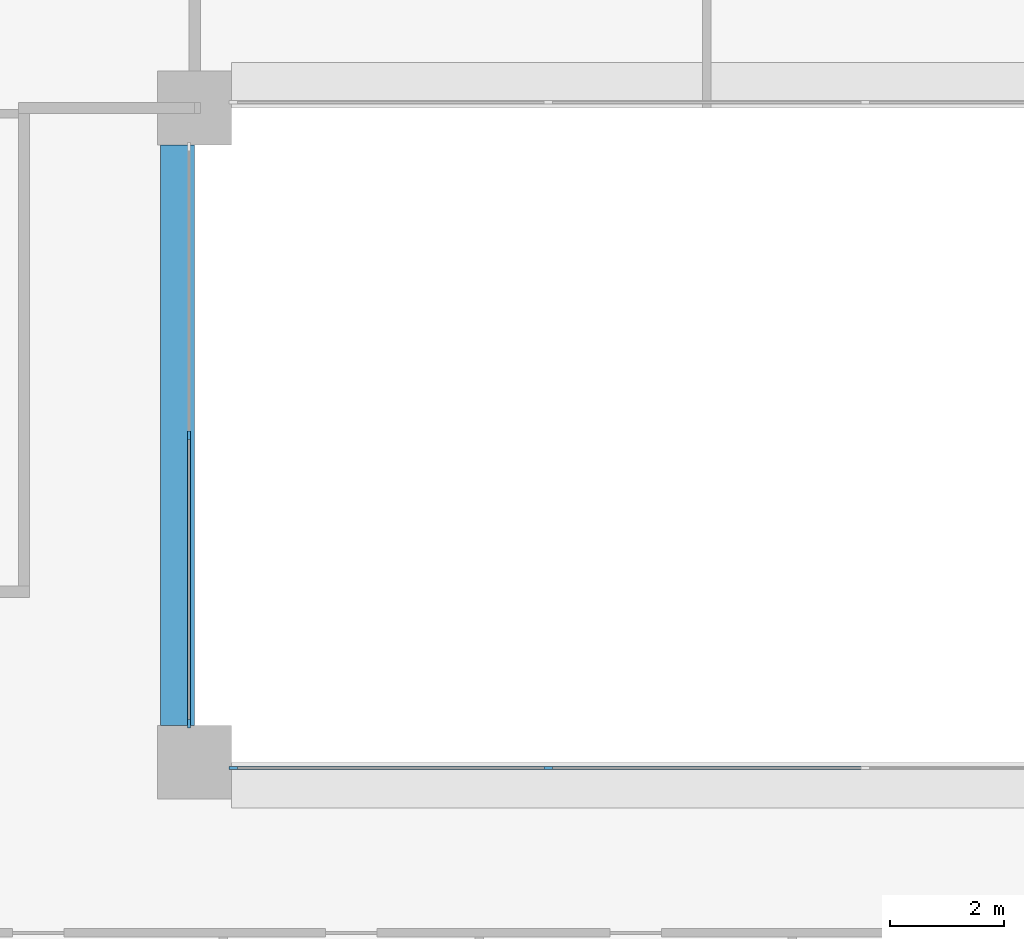
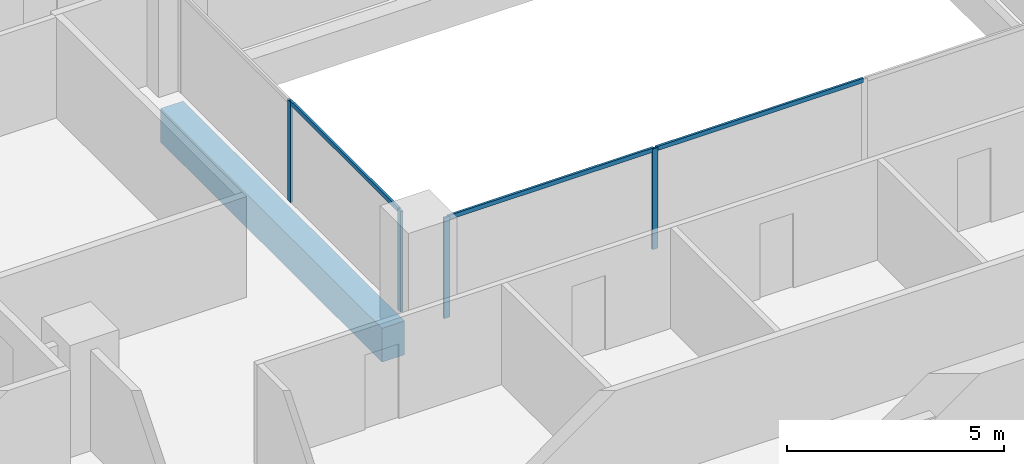
# One storey, part 2 of 16: 7 members, 1 beam, 2 elements without a shape of their own.
"""IFC4 building model written with IfcOpenShell, lengths in metres."""

from ifc_helpers import new_model, si_unit, direction, frame, origin, origin_2d, place, context, subcontext, project, spatial, rectangle, extrude, material, layer, layer_set, material_profile, profile_set, type_object, element, aggregate, save


model = new_model("IFC4")

# Units and contexts
model_context = context("Model", 3, precision=1e-05, world=origin(), true_north=direction((0.0, 1.0)))
body_context = subcontext(model_context, "Body", "Model", "MODEL_VIEW")
ifc_project = project(units=[si_unit("LENGTHUNIT", "METRE"), si_unit("AREAUNIT", "SQUARE_METRE"), si_unit("VOLUMEUNIT", "CUBIC_METRE"), si_unit("PLANEANGLEUNIT", "RADIAN"), si_unit("MASSUNIT", "GRAM", prefix="KILO")], contexts=[model_context])

# Site, building, storey
site_placement = place(None, origin())
site = spatial("IfcSite", under=ifc_project, at=site_placement, CompositionType="ELEMENT")
building_placement = place(site_placement, origin())
building = spatial("IfcBuilding", under=site, at=building_placement, Name="Brigalow Station Residences", CompositionType="ELEMENT")
storey_placement = place(building_placement, frame((0.0, 0.0, 86.699951171875)))
storey = spatial("IfcBuildingStorey", under=building, at=storey_placement, Name="L24", CompositionType="ELEMENT", Elevation=86.699951171875)

# Beam
ifc_material_1 = material(Name="Concrete C65", Category="concrete")
ifc_material_profile_1 = material_profile(ifc_material_1, rectangle(XDim=0.60009765625, YDim=0.949951171875, at=origin_2d()), Name="RC600x950")
ifc_profile_set_1 = profile_set([ifc_material_profile_1], Name="Concrete C65")
beam_type = type_object("IfcBeamType", Name="ATRIUM EDGE GIRDER 600x950 C65", PredefinedType="BEAM", material=ifc_profile_set_1)
beam_placement = place(storey_placement, frame((26.699951171875, 24.64990234375, -0.794921875), z_axis=(0.0, 1.0, 0.0), x_axis=(-1.0, 0.0, 0.0)))
element("IfcBeam", 1, at=beam_placement, inside=storey, type_object=beam_type, Name="ATRIUM EDGE GIRDER 3 L24", PredefinedType="BEAM", context=body_context, shape_type="SweptSolid", body=[
    extrude(rectangle(XDim=0.60009765625, YDim=0.949951171875, at=origin_2d()), origin(), (0.0, 0.0, 1.0), 10.2001953125),
])

# Curtain wall, members
ifc_material_2 = material(Name="Aluminium", Category="aluminium")
ifc_layer = layer(ifc_material_2, 0.14990234375)
ifc_layer_set = layer_set([ifc_layer], Name="ATRIUM FIRE-RATED GLAZING CURTAIN WALL")
curtain_wall_type = type_object("IfcCurtainWallType", Name="ATRIUM FIRE-RATED GLAZING CURTAIN WALL", PredefinedType="NOTDEFINED", material=ifc_layer_set)
curtain_wall_1_placement = place(storey_placement, origin())
curtain_wall_1 = element("IfcCurtainWall", 2, at=curtain_wall_1_placement, inside=storey, type_object=curtain_wall_type, Name="L24/cw/atrium-S", PredefinedType="NOTDEFINED")
ifc_material_3 = material(Name="Aluminium", Category="aluminium")
ifc_material_profile_2 = material_profile(ifc_material_3, rectangle(XDim=0.06005859375, YDim=0.14990234375, at=origin_2d()), Name="ATRIUM FIRE-RATED GLAZING MULLION 60x150")
ifc_profile_set_2 = profile_set([ifc_material_profile_2], Name="Aluminium")
member_type_1 = type_object("IfcMemberType", Name="ATRIUM FIRE-RATED GLAZING MULLION 60x150", PredefinedType="MULLION", material=ifc_profile_set_2)
member_1_placement = place(storey_placement, frame((27.679931640625, 23.89990234375, 0.0), z_axis=(0.0, 0.0, 1.0), x_axis=(0.0, 1.0, 0.0)))
member_1 = element("IfcMember", 3, at=member_1_placement, type_object=member_type_1, Name="L24/cw/atrium-S/M00", PredefinedType="MULLION", context=body_context, shape_type="SweptSolid", body=[
    extrude(rectangle(XDim=0.06005859375, YDim=0.14990234375, at=origin_2d()), origin(), (0.0, 0.0, 1.0), 2.830078125),
])
member_2_placement = place(storey_placement, frame((33.216796875, 23.89990234375, 0.0), z_axis=(0.0, 0.0, 1.0), x_axis=(0.0, 1.0, 0.0)))
member_2 = element("IfcMember", 4, at=member_2_placement, type_object=member_type_1, Name="L24/cw/atrium-S/M01", PredefinedType="MULLION", context=body_context, shape_type="SweptSolid", body=[
    extrude(rectangle(XDim=0.06005859375, YDim=0.14990234375, at=origin_2d()), origin(), (0.0, 0.0, 1.0), 2.830078125),
])

curtain_wall_2_placement = place(storey_placement, origin())
curtain_wall_2 = element("IfcCurtainWall", 5, at=curtain_wall_2_placement, inside=storey, type_object=curtain_wall_type, Name="L24/cw/atrium-W", PredefinedType="NOTDEFINED")
member_3_placement = place(storey_placement, frame((26.89990234375, 29.75, 0.0), z_axis=(0.0, 0.0, 1.0), x_axis=(1.0, 0.0, 0.0)))
member_3 = element("IfcMember", 6, at=member_3_placement, type_object=member_type_1, Name="L24/cw/atrium-W/M01", PredefinedType="MULLION", context=body_context, shape_type="SweptSolid", body=[
    extrude(rectangle(XDim=0.06005859375, YDim=0.14990234375, at=origin_2d()), origin(), (0.0, 0.0, 1.0), 2.830078125),
])
member_4_placement = place(storey_placement, frame((26.89990234375, 24.679931640625, 0.0), z_axis=(0.0, 0.0, 1.0), x_axis=(1.0, 0.0, 0.0)))
member_4 = element("IfcMember", 7, at=member_4_placement, type_object=member_type_1, Name="L24/cw/atrium-W/M02", PredefinedType="MULLION", context=body_context, shape_type="SweptSolid", body=[
    extrude(rectangle(XDim=0.06005859375, YDim=0.14990234375, at=origin_2d()), origin(), (0.0, 0.0, 1.0), 2.830078125),
])

# Member
ifc_material_4 = material(Name="Aluminium", Category="aluminium")
ifc_material_profile_3 = material_profile(ifc_material_4, rectangle(XDim=0.06005859375, YDim=0.1201171875, at=origin_2d()), Name="ATRIUM FIRE-RATED GLAZING TRANSOM 60x120")
ifc_profile_set_3 = profile_set([ifc_material_profile_3], Name="Aluminium")
member_type_2 = type_object("IfcMemberType", Name="ATRIUM FIRE-RATED GLAZING TRANSOM 60x120", PredefinedType="USERDEFINED", material=ifc_profile_set_3)
member_5_placement = place(storey_placement, frame((27.7099609375, 23.89990234375, 2.800048828125), z_axis=(1.0, 0.0, 0.0), x_axis=(0.0, 1.0, 0.0)))
member_5 = element("IfcMember", 8, at=member_5_placement, type_object=member_type_2, Name="L24/cw/atrium-S/T00-00", ObjectType="TRANSOM", PredefinedType="USERDEFINED", context=body_context, shape_type="SweptSolid", body=[
    extrude(rectangle(XDim=0.06005859375, YDim=0.1201171875, at=origin_2d()), origin(), (0.0, 0.0, 1.0), 5.476806640625),
])

member_6_placement = place(storey_placement, frame((33.24658203125, 23.89990234375, 2.800048828125), z_axis=(1.0, 0.0, 0.0), x_axis=(0.0, 1.0, 0.0)))
member_6 = element("IfcMember", 9, at=member_6_placement, type_object=member_type_2, Name="L24/cw/atrium-S/T01-00", ObjectType="TRANSOM", PredefinedType="USERDEFINED", context=body_context, shape_type="SweptSolid", body=[
    extrude(rectangle(XDim=0.06005859375, YDim=0.1201171875, at=origin_2d()), origin(), (0.0, 0.0, 1.0), 5.5068359375),
])

aggregate(curtain_wall_1, [member_1, member_2, member_5, member_6])

member_7_placement = place(storey_placement, frame((26.89990234375, 29.719970703125, 2.800048828125), z_axis=(0.0, -1.0, 0.0), x_axis=(1.0, 0.0, 0.0)))
member_7 = element("IfcMember", 10, at=member_7_placement, type_object=member_type_2, Name="L24/cw/atrium-W/T01-00", ObjectType="TRANSOM", PredefinedType="USERDEFINED", context=body_context, shape_type="SweptSolid", body=[
    extrude(rectangle(XDim=0.06005859375, YDim=0.1201171875, at=origin_2d()), origin(), (0.0, 0.0, 1.0), 5.010009765625),
])

aggregate(curtain_wall_2, [member_3, member_4, member_7])

save(model, "model.ifc")
